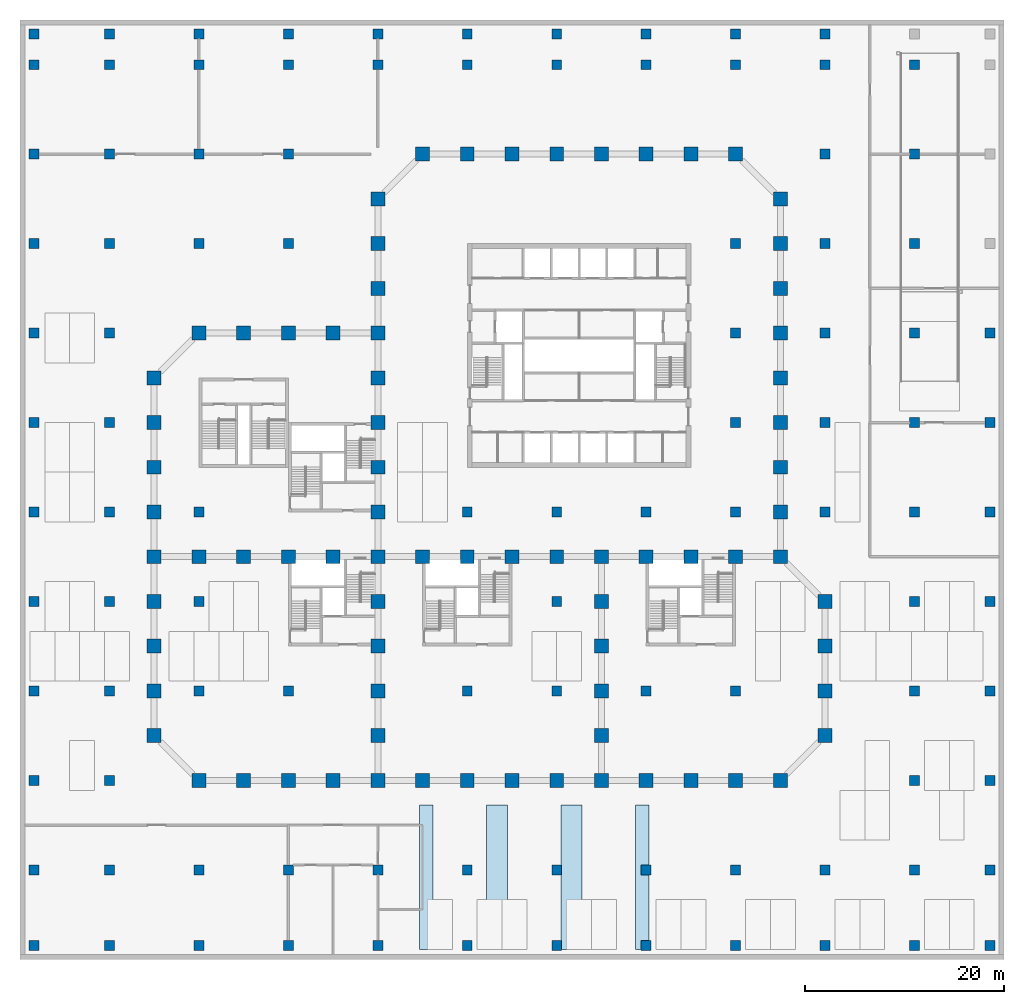
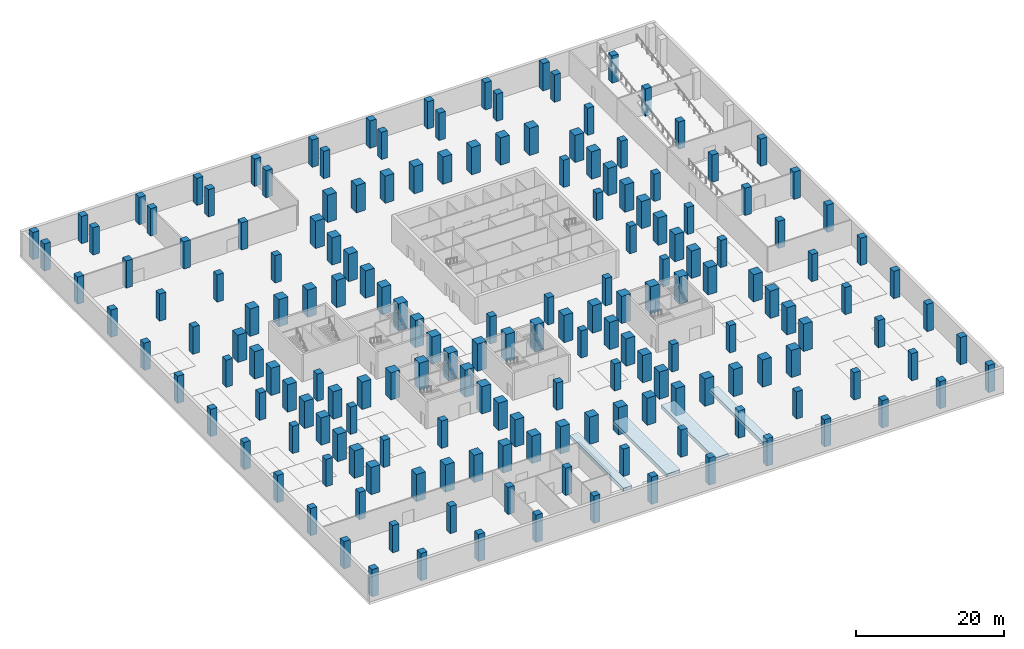
# One storey, part 1 of 16: 177 columns, 4 footings.
"""IFC4 building model written with IfcOpenShell, lengths in metres."""

from ifc_helpers import new_model, si_unit, direction, frame, origin, origin_2d, place, context, subcontext, project, spatial, polyline, rectangle, outline, extrude, material, layer, layer_set, material_profile, profile_set, type_object, element, save


model = new_model("IFC4")

# Units and contexts
model_context = context("Model", 3, precision=1e-05, world=origin(), true_north=direction((0.0, 1.0)))
body_context = subcontext(model_context, "Body", "Model", "MODEL_VIEW")
ifc_project = project(units=[si_unit("LENGTHUNIT", "METRE"), si_unit("AREAUNIT", "SQUARE_METRE"), si_unit("VOLUMEUNIT", "CUBIC_METRE"), si_unit("PLANEANGLEUNIT", "RADIAN"), si_unit("MASSUNIT", "GRAM", prefix="KILO")], contexts=[model_context])

# Site, building, storey
site_placement = place(None, origin())
site = spatial("IfcSite", under=ifc_project, at=site_placement, CompositionType="ELEMENT")
building_placement = place(site_placement, origin())
building = spatial("IfcBuilding", under=site, at=building_placement, Name="Quoin Convention Tower", CompositionType="ELEMENT")
storey_placement = place(building_placement, frame((0.0, 0.0, -4.5)))
storey = spatial("IfcBuildingStorey", under=building, at=storey_placement, Name="B1", CompositionType="ELEMENT", Elevation=-4.5)

# Footings
ifc_material_1 = material(Name="Concrete C40", Category="concrete")
ifc_layer = layer(ifc_material_1, 0.60009765625)
ifc_layer_set = layer_set([ifc_layer], Name="Concrete C40")
footing_type = type_object("IfcFootingType", Name="Stair wall footing", PredefinedType="STRIP_FOOTING", material=ifc_layer_set)
footing_1_placement = place(storey_placement, frame((0.0, 0.0, 3.5)))
element("IfcFooting", 1, at=footing_1_placement, inside=storey, type_object=footing_type, Name="bst-ftg-1", PredefinedType="STRIP_FOOTING", context=body_context, shape_type="SweptSolid", body=[
    extrude(outline(polyline([(40.199951171875, 1.0), (41.550048828125, 1.0), (41.550048828125, 15.5), (40.199951171875, 15.5), (40.199951171875, 1.0)])), origin(), (0.0, 0.0, 1.0), 0.60009765625),
])
footing_2_placement = place(storey_placement, frame((0.0, 0.0, 3.5)))
element("IfcFooting", 2, at=footing_2_placement, inside=storey, type_object=footing_type, Name="bst-ftg-2", PredefinedType="STRIP_FOOTING", context=body_context, shape_type="SweptSolid", body=[
    extrude(outline(polyline([(46.949951171875, 1.0), (49.050048828125, 1.0), (49.050048828125, 15.5), (46.949951171875, 15.5), (46.949951171875, 1.0)])), origin(), (0.0, 0.0, 1.0), 0.60009765625),
])
footing_3_placement = place(storey_placement, frame((0.0, 0.0, 3.5)))
element("IfcFooting", 3, at=footing_3_placement, inside=storey, type_object=footing_type, Name="bst-ftg-3", PredefinedType="STRIP_FOOTING", context=body_context, shape_type="SweptSolid", body=[
    extrude(outline(polyline([(54.449951171875, 1.0), (56.550048828125, 1.0), (56.550048828125, 15.5), (54.449951171875, 15.5), (54.449951171875, 1.0)])), origin(), (0.0, 0.0, 1.0), 0.60009765625),
])
footing_4_placement = place(storey_placement, frame((0.0, 0.0, 3.5)))
element("IfcFooting", 4, at=footing_4_placement, inside=storey, type_object=footing_type, Name="bst-ftg-4", PredefinedType="STRIP_FOOTING", context=body_context, shape_type="SweptSolid", body=[
    extrude(outline(polyline([(61.949951171875, 1.0), (63.300048828125, 1.0), (63.300048828125, 15.5), (61.949951171875, 15.5), (61.949951171875, 1.0)])), origin(), (0.0, 0.0, 1.0), 0.60009765625),
])

# Columns
ifc_material_2 = material(Name="Concrete C100 (100 MPa)", Category="concrete")
ifc_material_profile_1 = material_profile(ifc_material_2, rectangle(XDim=1.0, YDim=1.0, at=origin_2d()), Name="RC 1000x1000")
ifc_profile_set_1 = profile_set([ifc_material_profile_1], Name="Concrete C100 (100 MPa)")
column_type_1 = type_object("IfcColumnType", Name="RC 1000x1000 C100", PredefinedType="COLUMN", material=ifc_profile_set_1)
for number, where, z_axis, x_axis, name in (
    (5, (9.0, 9.0, 0.0), (0.0, 0.0, 1.0), (1.0, 0.0, 0.0), "col-B1-G9000_9000"),
    (6, (9.0, 18.0, 0.0), (0.0, 0.0, 1.0), (1.0, 0.0, 0.0), "col-B1-G9000_18000"),
    (7, (9.0, 27.0, 0.0), (0.0, 0.0, 1.0), (1.0, 0.0, 0.0), "col-B1-G9000_27000"),
    (8, (9.0, 36.0, 0.0), (0.0, 0.0, 1.0), (1.0, 0.0, 0.0), "col-B1-G9000_36000"),
    (9, (9.0, 45.0, 0.0), (0.0, 0.0, 1.0), (1.0, 0.0, 0.0), "col-B1-G9000_45000"),
    (10, (9.0, 54.0, 0.0), (0.0, 0.0, 1.0), (1.0, 0.0, 0.0), "col-B1-G9000_54000"),
    (11, (9.0, 63.0, 0.0), (0.0, 0.0, 1.0), (1.0, 0.0, 0.0), "col-B1-G9000_63000"),
    (12, (9.0, 72.0, 0.0), (0.0, 0.0, 1.0), (1.0, 0.0, 0.0), "col-B1-G9000_72000"),
    (13, (9.0, 81.0, 0.0), (0.0, 0.0, 1.0), (1.0, 0.0, 0.0), "col-B1-G9000_81000"),
    (14, (9.0, 90.0, 0.0), (0.0, 0.0, 1.0), (1.0, 0.0, 0.0), "col-B1-G9000_90000"),
    (15, (18.0, 9.0, 0.0), (0.0, 0.0, 1.0), (1.0, 0.0, 0.0), "col-B1-G18000_9000"),
    (16, (18.0, 27.0, 0.0), (0.0, 0.0, 1.0), (1.0, 0.0, 0.0), "col-B1-G18000_27000"),
    (17, (18.0, 36.0, 0.0), (0.0, 0.0, 1.0), (1.0, 0.0, 0.0), "col-B1-G18000_36000"),
    (18, (18.0, 45.0, 0.0), (0.0, 0.0, 1.0), (1.0, 0.0, 0.0), "col-B1-G18000_45000"),
    (19, (18.0, 72.0, 0.0), (0.0, 0.0, 1.0), (1.0, 0.0, 0.0), "col-B1-G18000_72000"),
    (20, (18.0, 81.0, 0.0), (0.0, 0.0, 1.0), (1.0, 0.0, 0.0), "col-B1-G18000_81000"),
    (21, (18.0, 90.0, 0.0), (0.0, 0.0, 1.0), (1.0, 0.0, 0.0), "col-B1-G18000_90000"),
    (22, (27.0, 9.0, 0.0), (0.0, 0.0, 1.0), (1.0, 0.0, 0.0), "col-B1-G27000_9000"),
    (23, (27.0, 27.0, 0.0), (0.0, 0.0, 1.0), (1.0, 0.0, 0.0), "col-B1-G27000_27000"),
    (24, (27.0, 72.0, 0.0), (0.0, 0.0, 1.0), (1.0, 0.0, 0.0), "col-B1-G27000_72000"),
    (25, (27.0, 81.0, 0.0), (0.0, 0.0, 1.0), (1.0, 0.0, 0.0), "col-B1-G27000_81000"),
    (26, (27.0, 90.0, 0.0), (0.0, 0.0, 1.0), (1.0, 0.0, 0.0), "col-B1-G27000_90000"),
    (27, (36.0, 9.0, 0.0), (0.0, 0.0, 1.0), (1.0, 0.0, 0.0), "col-B1-G36000_9000"),
    (28, (36.0, 90.0, 0.0), (0.0, 0.0, 1.0), (1.0, 0.0, 0.0), "col-B1-G36000_90000"),
    (29, (45.0, 9.0, 0.0), (0.0, 0.0, 1.0), (1.0, 0.0, 0.0), "col-B1-G45000_9000"),
    (30, (45.0, 27.0, 0.0), (0.0, 0.0, 1.0), (1.0, 0.0, 0.0), "col-B1-G45000_27000"),
    (31, (45.0, 45.0, 0.0), (0.0, 0.0, 1.0), (1.0, 0.0, 0.0), "col-B1-G45000_45000"),
    (32, (45.0, 90.0, 0.0), (0.0, 0.0, 1.0), (1.0, 0.0, 0.0), "col-B1-G45000_90000"),
    (33, (54.0, 9.0, 0.0), (0.0, 0.0, 1.0), (1.0, 0.0, 0.0), "col-B1-G54000_9000"),
    (34, (54.0, 27.0, 0.0), (0.0, 0.0, 1.0), (1.0, 0.0, 0.0), "col-B1-G54000_27000"),
    (35, (54.0, 36.0, 0.0), (0.0, 0.0, 1.0), (1.0, 0.0, 0.0), "col-B1-G54000_36000"),
    (36, (54.0, 45.0, 0.0), (0.0, 0.0, 1.0), (1.0, 0.0, 0.0), "col-B1-G54000_45000"),
    (37, (54.0, 90.0, 0.0), (0.0, 0.0, 1.0), (1.0, 0.0, 0.0), "col-B1-G54000_90000"),
    (38, (63.0, 9.0, 0.0), (0.0, 0.0, 1.0), (1.0, 0.0, 0.0), "col-B1-G63000_9000"),
    (39, (63.0, 27.0, 0.0), (0.0, 0.0, 1.0), (1.0, 0.0, 0.0), "col-B1-G63000_27000"),
    (40, (63.0, 45.0, 0.0), (0.0, 0.0, 1.0), (1.0, 0.0, 0.0), "col-B1-G63000_45000"),
    (41, (63.0, 90.0, 0.0), (0.0, 0.0, 1.0), (1.0, 0.0, 0.0), "col-B1-G63000_90000"),
    (42, (72.0, 9.0, 0.0), (0.0, 0.0, 1.0), (1.0, 0.0, 0.0), "col-B1-G72000_9000"),
    (43, (72.0, 27.0, 0.0), (0.0, 0.0, 1.0), (1.0, 0.0, 0.0), "col-B1-G72000_27000"),
    (44, (72.0, 45.0, 0.0), (0.0, 0.0, 1.0), (1.0, 0.0, 0.0), "col-B1-G72000_45000"),
    (45, (72.0, 54.0, 0.0), (0.0, 0.0, 1.0), (1.0, 0.0, 0.0), "col-B1-G72000_54000"),
    (46, (72.0, 63.0, 0.0), (0.0, 0.0, 1.0), (1.0, 0.0, 0.0), "col-B1-G72000_63000"),
    (47, (72.0, 72.0, 0.0), (0.0, 0.0, 1.0), (1.0, 0.0, 0.0), "col-B1-G72000_72000"),
    (48, (72.0, 90.0, 0.0), (0.0, 0.0, 1.0), (1.0, 0.0, 0.0), "col-B1-G72000_90000"),
    (49, (81.0, 9.0, 0.0), (0.0, 0.0, 1.0), (1.0, 0.0, 0.0), "col-B1-G81000_9000"),
    (50, (81.0, 45.0, 0.0), (0.0, 0.0, 1.0), (1.0, 0.0, 0.0), "col-B1-G81000_45000"),
    (51, (81.0, 54.0, 0.0), (0.0, 0.0, 1.0), (1.0, 0.0, 0.0), "col-B1-G81000_54000"),
    (52, (81.0, 63.0, 0.0), (0.0, 0.0, 1.0), (1.0, 0.0, 0.0), "col-B1-G81000_63000"),
    (53, (81.0, 72.0, 0.0), (0.0, 0.0, 1.0), (1.0, 0.0, 0.0), "col-B1-G81000_72000"),
    (54, (81.0, 81.0, 0.0), (0.0, 0.0, 1.0), (1.0, 0.0, 0.0), "col-B1-G81000_81000"),
    (55, (81.0, 90.0, 0.0), (0.0, 0.0, 1.0), (1.0, 0.0, 0.0), "col-B1-G81000_90000"),
    (56, (90.0, 9.0, 0.0), (0.0, 0.0, 1.0), (1.0, 0.0, 0.0), "col-B1-G90000_9000"),
    (57, (90.0, 18.0, 0.0), (0.0, 0.0, 1.0), (1.0, 0.0, 0.0), "col-B1-G90000_18000"),
    (58, (90.0, 27.0, 0.0), (0.0, 0.0, 1.0), (1.0, 0.0, 0.0), "col-B1-G90000_27000"),
    (59, (90.0, 36.0, 0.0), (0.0, 0.0, 1.0), (1.0, 0.0, 0.0), "col-B1-G90000_36000"),
    (60, (90.0, 45.0, 0.0), (0.0, 0.0, 1.0), (1.0, 0.0, 0.0), "col-B1-G90000_45000"),
    (61, (90.0, 54.0, 0.0), (0.0, 0.0, 1.0), (1.0, 0.0, 0.0), "col-B1-G90000_54000"),
    (62, (90.0, 63.0, 0.0), (0.0, 0.0, 1.0), (1.0, 0.0, 0.0), "col-B1-G90000_63000"),
    (63, (90.0, 72.0, 0.0), (0.0, 0.0, 1.0), (1.0, 0.0, 0.0), "col-B1-G90000_72000"),
    (64, (90.0, 81.0, 0.0), (0.0, 0.0, 1.0), (1.0, 0.0, 0.0), "col-B1-G90000_81000"),
    (65, (90.0, 90.0, 0.0), (0.0, 0.0, 1.0), (1.0, 0.0, 0.0), "col-B1-G90000_90000"),
    (66, (1.39990234375, 1.39990234375, 0.0), (0.0, 0.0, 1.0), (1.0, 0.0, 0.0), "col-B1-X1400_1400"),
    (67, (9.0, 1.39990234375, 0.0), (0.0, 0.0, 1.0), (1.0, 0.0, 0.0), "col-B1-X9000_1400"),
    (68, (18.0, 1.39990234375, 0.0), (0.0, 0.0, 1.0), (1.0, 0.0, 0.0), "col-B1-X18000_1400"),
    (69, (27.0, 1.39990234375, 0.0), (0.0, 0.0, 1.0), (1.0, 0.0, 0.0), "col-B1-X27000_1400"),
    (70, (36.0, 1.39990234375, 0.0), (0.0, 0.0, 1.0), (1.0, 0.0, 0.0), "col-B1-X36000_1400"),
    (71, (45.0, 1.39990234375, 0.0), (0.0, 0.0, 1.0), (1.0, 0.0, 0.0), "col-B1-X45000_1400"),
    (72, (54.0, 1.39990234375, 0.0), (0.0, 0.0, 1.0), (1.0, 0.0, 0.0), "col-B1-X54000_1400"),
    (73, (63.0, 1.39990234375, 0.0), (0.0, 0.0, 1.0), (1.0, 0.0, 0.0), "col-B1-X63000_1400"),
    (74, (72.0, 1.39990234375, 0.0), (0.0, 0.0, 1.0), (1.0, 0.0, 0.0), "col-B1-X72000_1400"),
    (75, (81.0, 1.39990234375, 0.0), (0.0, 0.0, 1.0), (1.0, 0.0, 0.0), "col-B1-X81000_1400"),
    (76, (90.0, 1.39990234375, 0.0), (0.0, 0.0, 1.0), (1.0, 0.0, 0.0), "col-B1-X90000_1400"),
    (77, (97.60009765625, 1.39990234375, 0.0), (0.0, 0.0, 1.0), (1.0, 0.0, 0.0), "col-B1-X97600_1400"),
    (78, (1.39990234375, 9.0, 0.0), (0.0, 0.0, 1.0), (1.0, 0.0, 0.0), "col-B1-X1400_9000"),
    (79, (97.60009765625, 9.0, 0.0), (0.0, 0.0, 1.0), (1.0, 0.0, 0.0), "col-B1-X97600_9000"),
    (80, (1.39990234375, 18.0, 0.0), (0.0, 0.0, 1.0), (1.0, 0.0, 0.0), "col-B1-X1400_18000"),
    (81, (97.60009765625, 18.0, 0.0), (0.0, 0.0, 1.0), (1.0, 0.0, 0.0), "col-B1-X97600_18000"),
    (82, (1.39990234375, 27.0, 0.0), (0.0, 0.0, 1.0), (1.0, 0.0, 0.0), "col-B1-X1400_27000"),
    (83, (97.60009765625, 27.0, 0.0), (0.0, 0.0, 1.0), (1.0, 0.0, 0.0), "col-B1-X97600_27000"),
    (84, (1.39990234375, 36.0, 0.0), (0.0, 0.0, 1.0), (1.0, 0.0, 0.0), "col-B1-X1400_36000"),
    (85, (97.60009765625, 36.0, 0.0), (0.0, 0.0, 1.0), (1.0, 0.0, 0.0), "col-B1-X97600_36000"),
    (86, (1.39990234375, 45.0, 0.0), (0.0, 0.0, 1.0), (1.0, 0.0, 0.0), "col-B1-X1400_45000"),
    (87, (97.60009765625, 45.0, 0.0), (0.0, 0.0, 1.0), (1.0, 0.0, 0.0), "col-B1-X97600_45000"),
    (88, (1.39990234375, 54.0, 0.0), (0.0, 0.0, 1.0), (1.0, 0.0, 0.0), "col-B1-X1400_54000"),
    (89, (97.60009765625, 54.0, 0.0), (0.0, 0.0, 1.0), (1.0, 0.0, 0.0), "col-B1-X97600_54000"),
    (90, (1.39990234375, 63.0, 0.0), (0.0, 0.0, 1.0), (1.0, 0.0, 0.0), "col-B1-X1400_63000"),
    (91, (97.60009765625, 63.0, 0.0), (0.0, 0.0, 1.0), (1.0, 0.0, 0.0), "col-B1-X97600_63000"),
    (92, (1.39990234375, 72.0, 0.0), (0.0, 0.0, 1.0), (1.0, 0.0, 0.0), "col-B1-X1400_72000"),
    (93, (1.39990234375, 81.0, 0.0), (0.0, 0.0, 1.0), (1.0, 0.0, 0.0), "col-B1-X1400_81000"),
    (94, (1.39990234375, 90.0, 0.0), (0.0, 0.0, 1.0), (1.0, 0.0, 0.0), "col-B1-X1400_90000"),
    (95, (1.39990234375, 93.10009765625, 0.0), (0.0, 0.0, 1.0), (1.0, 0.0, 0.0), "col-B1-X1400_93100"),
    (96, (9.0, 93.10009765625, 0.0), (0.0, 0.0, 1.0), (1.0, 0.0, 0.0), "col-B1-X9000_93100"),
    (97, (18.0, 93.10009765625, 0.0), (0.0, 0.0, 1.0), (1.0, 0.0, 0.0), "col-B1-X18000_93100"),
    (98, (27.0, 93.10009765625, 0.0), (0.0, 0.0, 1.0), (1.0, 0.0, 0.0), "col-B1-X27000_93100"),
    (99, (36.0, 93.10009765625, 0.0), (0.0, 0.0, 1.0), (1.0, 0.0, 0.0), "col-B1-X36000_93100"),
    (100, (45.0, 93.10009765625, 0.0), (0.0, 0.0, 1.0), (1.0, 0.0, 0.0), "col-B1-X45000_93100"),
    (101, (54.0, 93.10009765625, 0.0), (0.0, 0.0, 1.0), (1.0, 0.0, 0.0), "col-B1-X54000_93100"),
    (102, (63.0, 93.10009765625, 0.0), (0.0, 0.0, 1.0), (1.0, 0.0, 0.0), "col-B1-X63000_93100"),
    (103, (72.0, 93.10009765625, 0.0), (0.0, 0.0, 1.0), (1.0, 0.0, 0.0), "col-B1-X72000_93100"),
    (104, (81.0, 93.10009765625, 0.0), (0.0, 0.0, 1.0), (1.0, 0.0, 0.0), "col-B1-X81000_93100"),
):
    element("IfcColumn", number, at=place(storey_placement, frame(where, z_axis=z_axis, x_axis=x_axis)), inside=storey, type_object=column_type_1, Name=name, PredefinedType="COLUMN", context=body_context, shape_type="SweptSolid", body=[
        extrude(rectangle(XDim=1.0, YDim=1.0, at=origin_2d()), origin(), (0.0, 0.0, 1.0), 4.5),
    ])
ifc_material_profile_2 = material_profile(ifc_material_2, rectangle(XDim=1.39990234375, YDim=1.39990234375, at=origin_2d()), Name="RC 1400x1400")
ifc_profile_set_2 = profile_set([ifc_material_profile_2], Name="Concrete C100 (100 MPa)")
column_type_2 = type_object("IfcColumnType", Name="RC 1400x1400 C100", PredefinedType="COLUMN", material=ifc_profile_set_2)
for number, where, z_axis, x_axis, name in (
    (105, (18.0, 18.0, 0.0), (0.0, 0.0, 1.0), (1.0, 0.0, 0.0), "col-B1-18000_18000"),
    (106, (22.5, 18.0, 0.0), (0.0, 0.0, 1.0), (1.0, 0.0, 0.0), "col-B1-22500_18000"),
    (107, (27.0, 18.0, 0.0), (0.0, 0.0, 1.0), (1.0, 0.0, 0.0), "col-B1-27000_18000"),
    (108, (31.5, 18.0, 0.0), (0.0, 0.0, 1.0), (1.0, 0.0, 0.0), "col-B1-31500_18000"),
    (109, (36.0, 18.0, 0.0), (0.0, 0.0, 1.0), (1.0, 0.0, 0.0), "col-B1-36000_18000"),
    (110, (40.5, 18.0, 0.0), (0.0, 0.0, 1.0), (1.0, 0.0, 0.0), "col-B1-40500_18000"),
    (111, (45.0, 18.0, 0.0), (0.0, 0.0, 1.0), (1.0, 0.0, 0.0), "col-B1-45000_18000"),
    (112, (49.5, 18.0, 0.0), (0.0, 0.0, 1.0), (1.0, 0.0, 0.0), "col-B1-49500_18000"),
    (113, (54.0, 18.0, 0.0), (0.0, 0.0, 1.0), (1.0, 0.0, 0.0), "col-B1-54000_18000"),
    (114, (58.5, 18.0, 0.0), (0.0, 0.0, 1.0), (1.0, 0.0, 0.0), "col-B1-58500_18000"),
    (115, (63.0, 18.0, 0.0), (0.0, 0.0, 1.0), (1.0, 0.0, 0.0), "col-B1-63000_18000"),
    (116, (67.5, 18.0, 0.0), (0.0, 0.0, 1.0), (1.0, 0.0, 0.0), "col-B1-67500_18000"),
    (117, (72.0, 18.0, 0.0), (0.0, 0.0, 1.0), (1.0, 0.0, 0.0), "col-B1-72000_18000"),
    (118, (76.5, 18.0, 0.0), (0.0, 0.0, 1.0), (1.0, 0.0, 0.0), "col-B1-76500_18000"),
    (119, (13.5, 22.5, 0.0), (0.0, 0.0, 1.0), (1.0, 0.0, 0.0), "col-B1-13500_22500"),
    (120, (36.0, 22.5, 0.0), (0.0, 0.0, 1.0), (1.0, 0.0, 0.0), "web-B1-36000_22500"),
    (121, (58.5, 22.5, 0.0), (0.0, 0.0, 1.0), (1.0, 0.0, 0.0), "web-B1-58500_22500"),
    (122, (81.0, 22.5, 0.0), (0.0, 0.0, 1.0), (1.0, 0.0, 0.0), "col-B1-81000_22500"),
    (123, (13.5, 27.0, 0.0), (0.0, 0.0, 1.0), (1.0, 0.0, 0.0), "col-B1-13500_27000"),
    (124, (36.0, 27.0, 0.0), (0.0, 0.0, 1.0), (1.0, 0.0, 0.0), "web-B1-36000_27000"),
    (125, (58.5, 27.0, 0.0), (0.0, 0.0, 1.0), (1.0, 0.0, 0.0), "web-B1-58500_27000"),
    (126, (81.0, 27.0, 0.0), (0.0, 0.0, 1.0), (1.0, 0.0, 0.0), "col-B1-81000_27000"),
    (127, (13.5, 31.5, 0.0), (0.0, 0.0, 1.0), (1.0, 0.0, 0.0), "col-B1-13500_31500"),
    (128, (36.0, 31.5, 0.0), (0.0, 0.0, 1.0), (1.0, 0.0, 0.0), "web-B1-36000_31500"),
    (129, (58.5, 31.5, 0.0), (0.0, 0.0, 1.0), (1.0, 0.0, 0.0), "web-B1-58500_31500"),
    (130, (81.0, 31.5, 0.0), (0.0, 0.0, 1.0), (1.0, 0.0, 0.0), "col-B1-81000_31500"),
    (131, (13.5, 36.0, 0.0), (0.0, 0.0, 1.0), (1.0, 0.0, 0.0), "col-B1-13500_36000"),
    (132, (36.0, 36.0, 0.0), (0.0, 0.0, 1.0), (1.0, 0.0, 0.0), "web-B1-36000_36000"),
    (133, (58.5, 36.0, 0.0), (0.0, 0.0, 1.0), (1.0, 0.0, 0.0), "web-B1-58500_36000"),
    (134, (81.0, 36.0, 0.0), (0.0, 0.0, 1.0), (1.0, 0.0, 0.0), "col-B1-81000_36000"),
    (135, (13.5, 40.5, 0.0), (0.0, 0.0, 1.0), (1.0, 0.0, 0.0), "col-B1-13500_40500"),
    (136, (18.0, 40.5, 0.0), (0.0, 0.0, 1.0), (1.0, 0.0, 0.0), "web-B1-18000_40500"),
    (137, (22.5, 40.5, 0.0), (0.0, 0.0, 1.0), (1.0, 0.0, 0.0), "web-B1-22500_40500"),
    (138, (27.0, 40.5, 0.0), (0.0, 0.0, 1.0), (1.0, 0.0, 0.0), "web-B1-27000_40500"),
    (139, (31.5, 40.5, 0.0), (0.0, 0.0, 1.0), (1.0, 0.0, 0.0), "web-B1-31500_40500"),
    (140, (36.0, 40.5, 0.0), (0.0, 0.0, 1.0), (1.0, 0.0, 0.0), "web-B1-36000_40500"),
    (141, (40.5, 40.5, 0.0), (0.0, 0.0, 1.0), (1.0, 0.0, 0.0), "web-B1-40500_40500"),
    (142, (45.0, 40.5, 0.0), (0.0, 0.0, 1.0), (1.0, 0.0, 0.0), "web-B1-45000_40500"),
    (143, (49.5, 40.5, 0.0), (0.0, 0.0, 1.0), (1.0, 0.0, 0.0), "web-B1-49500_40500"),
    (144, (54.0, 40.5, 0.0), (0.0, 0.0, 1.0), (1.0, 0.0, 0.0), "web-B1-54000_40500"),
    (145, (58.5, 40.5, 0.0), (0.0, 0.0, 1.0), (1.0, 0.0, 0.0), "web-B1-58500_40500"),
    (146, (63.0, 40.5, 0.0), (0.0, 0.0, 1.0), (1.0, 0.0, 0.0), "web-B1-63000_40500"),
    (147, (67.5, 40.5, 0.0), (0.0, 0.0, 1.0), (1.0, 0.0, 0.0), "web-B1-67500_40500"),
    (148, (72.0, 40.5, 0.0), (0.0, 0.0, 1.0), (1.0, 0.0, 0.0), "web-B1-72000_40500"),
    (149, (76.5, 40.5, 0.0), (0.0, 0.0, 1.0), (1.0, 0.0, 0.0), "col-B1-76500_40500"),
    (150, (13.5, 45.0, 0.0), (0.0, 0.0, 1.0), (1.0, 0.0, 0.0), "col-B1-13500_45000"),
    (151, (36.0, 45.0, 0.0), (0.0, 0.0, 1.0), (1.0, 0.0, 0.0), "web-B1-36000_45000"),
    (152, (76.5, 45.0, 0.0), (0.0, 0.0, 1.0), (1.0, 0.0, 0.0), "col-B1-76500_45000"),
    (153, (13.5, 49.5, 0.0), (0.0, 0.0, 1.0), (1.0, 0.0, 0.0), "col-B1-13500_49500"),
    (154, (36.0, 49.5, 0.0), (0.0, 0.0, 1.0), (1.0, 0.0, 0.0), "web-B1-36000_49500"),
    (155, (76.5, 49.5, 0.0), (0.0, 0.0, 1.0), (1.0, 0.0, 0.0), "col-B1-76500_49500"),
    (156, (13.5, 54.0, 0.0), (0.0, 0.0, 1.0), (1.0, 0.0, 0.0), "col-B1-13500_54000"),
    (157, (36.0, 54.0, 0.0), (0.0, 0.0, 1.0), (1.0, 0.0, 0.0), "web-B1-36000_54000"),
    (158, (76.5, 54.0, 0.0), (0.0, 0.0, 1.0), (1.0, 0.0, 0.0), "col-B1-76500_54000"),
    (159, (13.5, 58.5, 0.0), (0.0, 0.0, 1.0), (1.0, 0.0, 0.0), "col-B1-13500_58500"),
    (160, (36.0, 58.5, 0.0), (0.0, 0.0, 1.0), (1.0, 0.0, 0.0), "web-B1-36000_58500"),
    (161, (76.5, 58.5, 0.0), (0.0, 0.0, 1.0), (1.0, 0.0, 0.0), "col-B1-76500_58500"),
    (162, (18.0, 63.0, 0.0), (0.0, 0.0, 1.0), (1.0, 0.0, 0.0), "col-B1-18000_63000"),
    (163, (22.5, 63.0, 0.0), (0.0, 0.0, 1.0), (1.0, 0.0, 0.0), "col-B1-22500_63000"),
    (164, (27.0, 63.0, 0.0), (0.0, 0.0, 1.0), (1.0, 0.0, 0.0), "col-B1-27000_63000"),
    (165, (31.5, 63.0, 0.0), (0.0, 0.0, 1.0), (1.0, 0.0, 0.0), "col-B1-31500_63000"),
    (166, (36.0, 63.0, 0.0), (0.0, 0.0, 1.0), (1.0, 0.0, 0.0), "col-B1-36000_63000"),
    (167, (76.5, 63.0, 0.0), (0.0, 0.0, 1.0), (1.0, 0.0, 0.0), "col-B1-76500_63000"),
    (168, (36.0, 67.5, 0.0), (0.0, 0.0, 1.0), (1.0, 0.0, 0.0), "col-B1-36000_67500"),
    (169, (76.5, 67.5, 0.0), (0.0, 0.0, 1.0), (1.0, 0.0, 0.0), "col-B1-76500_67500"),
    (170, (36.0, 72.0, 0.0), (0.0, 0.0, 1.0), (1.0, 0.0, 0.0), "col-B1-36000_72000"),
    (171, (76.5, 72.0, 0.0), (0.0, 0.0, 1.0), (1.0, 0.0, 0.0), "col-B1-76500_72000"),
    (172, (36.0, 76.5, 0.0), (0.0, 0.0, 1.0), (1.0, 0.0, 0.0), "col-B1-36000_76500"),
    (173, (76.5, 76.5, 0.0), (0.0, 0.0, 1.0), (1.0, 0.0, 0.0), "col-B1-76500_76500"),
    (174, (40.5, 81.0, 0.0), (0.0, 0.0, 1.0), (1.0, 0.0, 0.0), "col-B1-40500_81000"),
    (175, (45.0, 81.0, 0.0), (0.0, 0.0, 1.0), (1.0, 0.0, 0.0), "col-B1-45000_81000"),
    (176, (49.5, 81.0, 0.0), (0.0, 0.0, 1.0), (1.0, 0.0, 0.0), "col-B1-49500_81000"),
    (177, (54.0, 81.0, 0.0), (0.0, 0.0, 1.0), (1.0, 0.0, 0.0), "col-B1-54000_81000"),
    (178, (58.5, 81.0, 0.0), (0.0, 0.0, 1.0), (1.0, 0.0, 0.0), "col-B1-58500_81000"),
    (179, (63.0, 81.0, 0.0), (0.0, 0.0, 1.0), (1.0, 0.0, 0.0), "col-B1-63000_81000"),
    (180, (67.5, 81.0, 0.0), (0.0, 0.0, 1.0), (1.0, 0.0, 0.0), "col-B1-67500_81000"),
    (181, (72.0, 81.0, 0.0), (0.0, 0.0, 1.0), (1.0, 0.0, 0.0), "col-B1-72000_81000"),
):
    element("IfcColumn", number, at=place(storey_placement, frame(where, z_axis=z_axis, x_axis=x_axis)), inside=storey, type_object=column_type_2, Name=name, PredefinedType="COLUMN", context=body_context, shape_type="SweptSolid", body=[
        extrude(rectangle(XDim=1.39990234375, YDim=1.39990234375, at=origin_2d()), origin(), (0.0, 0.0, 1.0), 4.5),
    ])

save(model, "model.ifc")
